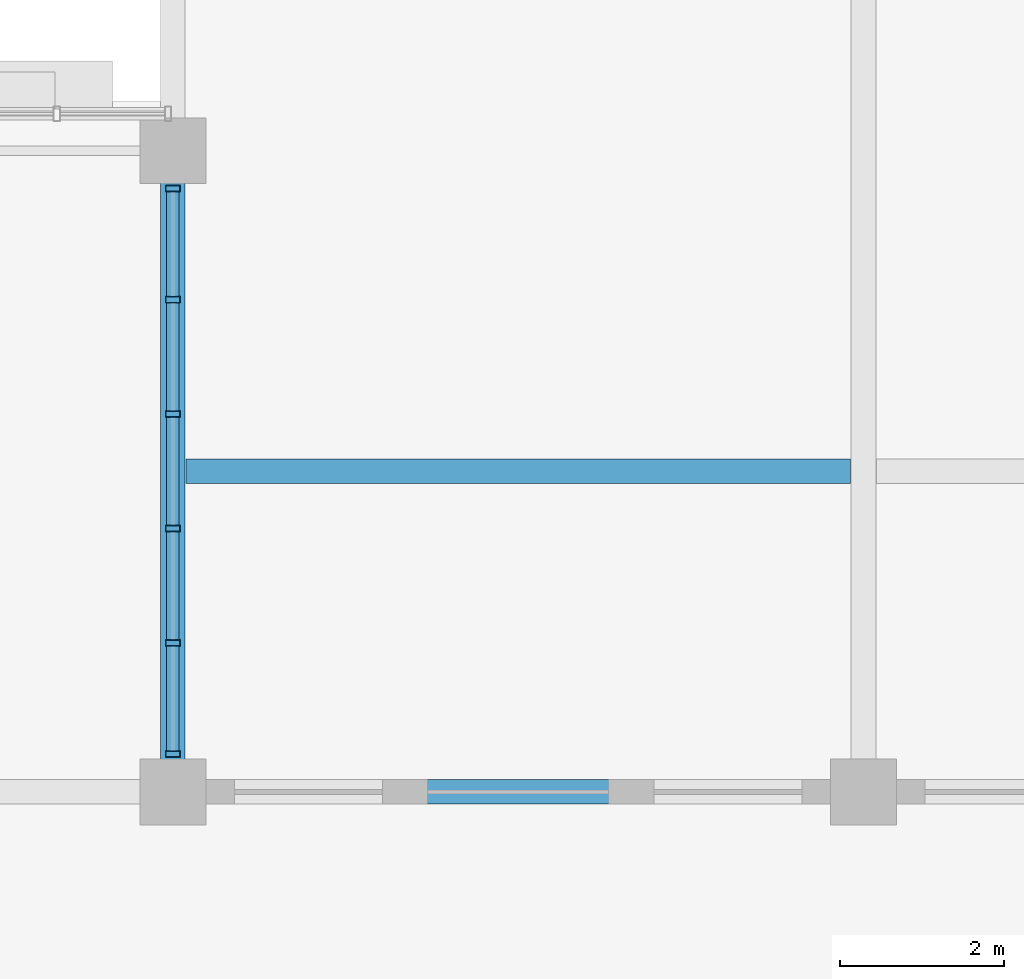
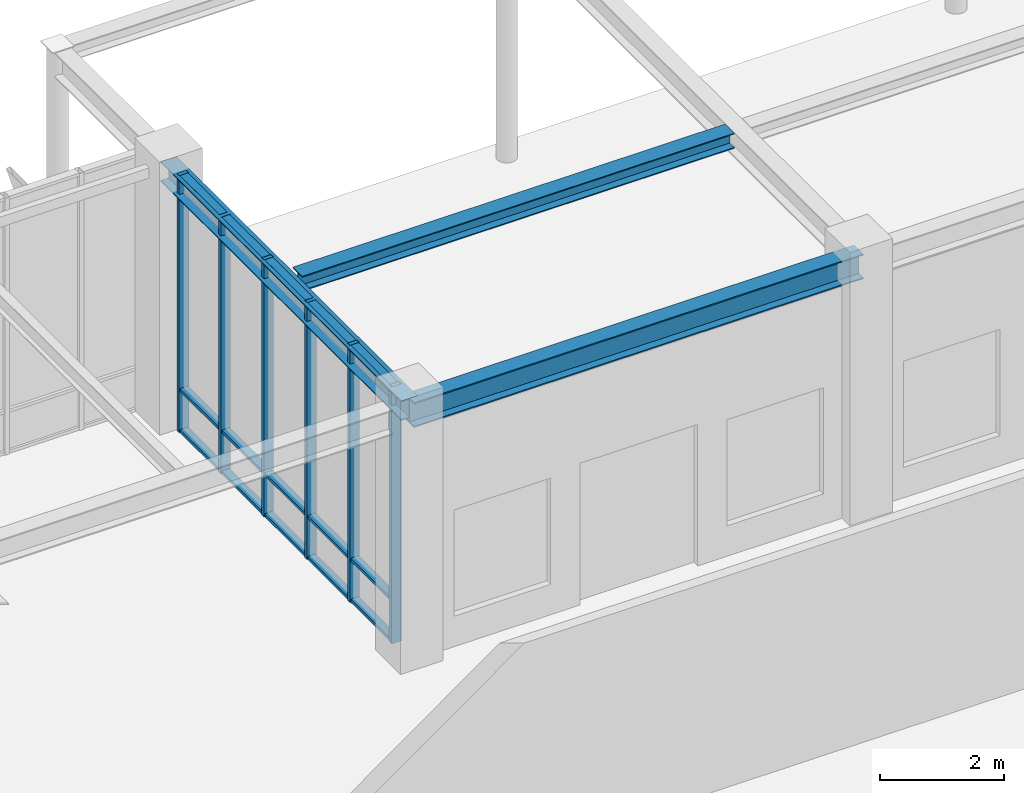
# One storey, part 43 of 122: 21 members, 3 beams, 1 element without a shape of its own.
"""IFC4 building model written with IfcOpenShell, lengths in metres."""

import ifcopenshell
import ifcopenshell.guid

model = None  # the IFC model being written
_history = None  # IfcOwnerHistory: only IFC2X3 demands one
_inside = {}  # id of a spatial element -> (the spatial element, [elements in it])
_under = {}  # id of a project, library or spatial element -> (it, [spatial elements below it])
_declared = {}  # id of a project -> (the project, [libraries it declares])
_typed = {}  # id of a type object -> (the type object, [elements of that type])
_made_of = {}  # id of a material, layer set ... -> (it, [elements and type objects made of it])


def new_model(schema):
    """Start an empty IFC model of exactly this schema.

    Asked for "IFC4X3", IfcOpenShell would pick the latest addendum, in which some entities
    have other attributes; the version numbers below select the first issue.
    IFC2X3 requires an IfcOwnerHistory on every rooted entity: one is made here for all.
    """
    global model, _history
    if schema == "IFC4X3":
        model = ifcopenshell.file(schema_version=(4, 3, 0, 0))
    else:
        model = ifcopenshell.file(schema=schema)
    _inside.clear()
    _under.clear()
    _declared.clear()
    _typed.clear()
    _made_of.clear()
    _history = None
    if model.schema == "IFC2X3":
        org = make("IfcOrganization", Name="unknown")
        user = make(
            "IfcPersonAndOrganization",
            ThePerson=make("IfcPerson", FamilyName="unknown"),
            TheOrganization=org,
        )
        app = make(
            "IfcApplication",
            ApplicationDeveloper=org,
            Version="unknown",
            ApplicationFullName="unknown",
            ApplicationIdentifier="unknown",
        )
        _history = make(
            "IfcOwnerHistory",
            OwningUser=user,
            OwningApplication=app,
            ChangeAction="ADDED",
            CreationDate=0,
        )
    return model


def make(cls, **values):
    """One entity of the class cls with the attributes given. An attribute that is None is left unset."""
    return model.create_entity(
        cls, **{name: value for name, value in values.items() if value is not None}
    )


def rooted(cls, **values):
    """An entity with a GlobalId (a new one), such as an element, a storey or a relation."""
    return make(cls, GlobalId=ifcopenshell.guid.new(), OwnerHistory=_history, **values)


def si_unit(unit_type, name, prefix=None):
    """IfcSIUnit, for example si_unit("LENGTHUNIT", "METRE", prefix="MILLI")."""
    return make("IfcSIUnit", UnitType=unit_type, Prefix=prefix, Name=name)


def assignment(units):
    """IfcUnitAssignment: the units of a project."""
    return None if units is None else make("IfcUnitAssignment", Units=units)


def point(xyz):
    """IfcCartesianPoint."""
    return None if xyz is None else make("IfcCartesianPoint", Coordinates=xyz)


def direction(xyz):
    """IfcDirection."""
    return None if xyz is None else make("IfcDirection", DirectionRatios=xyz)


def frame(location, z_axis=None, x_axis=None):
    """IfcAxis2Placement3D, a coordinate frame: its origin and axes. An axis left out is left unset."""
    return make(
        "IfcAxis2Placement3D",
        Location=point(location),
        Axis=direction(z_axis),
        RefDirection=direction(x_axis),
    )


def frame_2d(location, x_axis=None):
    """IfcAxis2Placement2D, a coordinate frame in the plane: its origin and x axis."""
    return make(
        "IfcAxis2Placement2D", Location=point(location), RefDirection=direction(x_axis)
    )


def origin():
    """The frame at (0, 0, 0) with its axes left unset."""
    return frame((0.0, 0.0, 0.0))


def origin_2d():
    """The frame at (0, 0) in the plane with its x axis left unset."""
    return frame_2d((0.0, 0.0))


def place(relative_to, where):
    """IfcLocalPlacement: puts the frame where relative to a parent placement (None: the world)."""
    return make(
        "IfcLocalPlacement", PlacementRelTo=relative_to, RelativePlacement=where
    )


def context(
    kind, dimensions, precision=None, world=None, true_north=None, identifier=None
):
    """IfcGeometricRepresentationContext, for example the 3D "Model" context."""
    return make(
        "IfcGeometricRepresentationContext",
        ContextIdentifier=identifier,
        ContextType=kind,
        CoordinateSpaceDimension=dimensions,
        Precision=precision,
        WorldCoordinateSystem=world,
        TrueNorth=true_north,
    )


def subcontext(parent, identifier, kind, view, scale=None):
    """IfcGeometricRepresentationSubContext, for example "Body" below "Model"."""
    return make(
        "IfcGeometricRepresentationSubContext",
        ContextIdentifier=identifier,
        ContextType=kind,
        ParentContext=parent,
        TargetScale=scale,
        TargetView=view,
    )


def project(units=None, contexts=None):
    """IfcProject with its units and contexts."""
    return rooted(
        "IfcProject",
        Name="project",
        RepresentationContexts=contexts,
        UnitsInContext=assignment(units),
    )


def spatial(cls, under=None, at=None, **own):
    """A site, building, storey or space (cls), placed at a placement, below another one or the project."""
    s = rooted(cls, ObjectPlacement=at, **own)
    if under is not None:
        _under.setdefault(under.id(), (under, []))[1].append(s)
    return s


def profile(cls, at=None, kind="AREA", **sizes):
    """A parametric profile (cls). Its sizes go by their IFC names, for example OverallWidth=200.0."""
    return make(cls, ProfileType=kind, Position=at, **sizes)


def hollow_rectangle(**sizes):
    """IfcRectangleHollowProfileDef."""
    return profile("IfcRectangleHollowProfileDef", **sizes)


def i_section(**sizes):
    """IfcIShapeProfileDef."""
    return profile("IfcIShapeProfileDef", **sizes)


def extrude(swept, where, along, depth):
    """IfcExtrudedAreaSolid: the profile swept, set in the frame where, extruded along a direction by depth."""
    return make(
        "IfcExtrudedAreaSolid",
        SweptArea=swept,
        Position=where,
        ExtrudedDirection=direction(along),
        Depth=depth,
    )


def shape(context_of_items, identifier, shape_type, items):
    """IfcShapeRepresentation: the items that make up one representation, for example the "Body"."""
    return make(
        "IfcShapeRepresentation",
        ContextOfItems=context_of_items,
        RepresentationIdentifier=identifier,
        RepresentationType=shape_type,
        Items=items,
    )


def material(Name=None, Category=None):
    """IfcMaterial."""
    return make("IfcMaterial", Name=Name, Category=Category)


def layer(
    of_material, thickness, ventilated=None, Name=None, Category=None, Priority=None
):
    """IfcMaterialLayer: one layer of a wall or slab, of a material (None: an air gap)."""
    return make(
        "IfcMaterialLayer",
        Material=of_material,
        LayerThickness=thickness,
        IsVentilated=ventilated,
        Name=Name,
        Category=Category,
        Priority=Priority,
    )


def layer_set(layers, Name=None):
    """IfcMaterialLayerSet."""
    return make("IfcMaterialLayerSet", MaterialLayers=layers, LayerSetName=Name)


def material_profile(
    of_material, cross_section, Name=None, Category=None, Priority=None
):
    """IfcMaterialProfile: a cross section and its material."""
    return make(
        "IfcMaterialProfile",
        Name=Name,
        Material=of_material,
        Profile=cross_section,
        Priority=Priority,
        Category=Category,
    )


def profile_set(profiles, Name=None, composite=None):
    """IfcMaterialProfileSet."""
    return make(
        "IfcMaterialProfileSet",
        Name=Name,
        MaterialProfiles=profiles,
        CompositeProfile=composite,
    )


def made_of(thing, what):
    """Note that an element or type object is made of a material, layer set ...; save() writes the relation."""
    if what is not None:
        _made_of.setdefault(what.id(), (what, []))[1].append(thing)
    return thing


def type_object(cls, material=None, **own):
    """A type object (cls), such as IfcWallType, which elements share."""
    return made_of(rooted(cls, **own), material)


def element(
    cls,
    number,
    at=None,
    inside=None,
    cuts=None,
    type_object=None,
    material=None,
    context=None,
    identifier="Body",
    shape_type=None,
    held_by="IfcProductDefinitionShape",
    body=None,
    shapes=None,
    **own,
):
    """One element of the class cls, such as IfcWall. Its Tag is "e" and its number.

    at: its placement. inside: the storey or other place that contains it. cuts: it is an
    opening in that element (IfcRelVoidsElement). A single representation is given by context,
    identifier, shape_type and body (its items); several are given by shapes. held_by: the class
    of the entity that holds the representations. save() writes the other relations.
    """
    e = rooted(cls, Tag="e%d" % number, ObjectPlacement=at, **own)
    if body is not None:
        shapes = [shape(context, identifier, shape_type, body)]
    if shapes is not None:
        e.Representation = make(held_by, Representations=shapes)
    if inside is not None:
        _inside.setdefault(inside.id(), (inside, []))[1].append(e)
    if cuts is not None:
        rooted(
            "IfcRelVoidsElement", RelatingBuildingElement=cuts, RelatedOpeningElement=e
        )
    if type_object is not None:
        _typed.setdefault(type_object.id(), (type_object, []))[1].append(e)
    return made_of(e, material)


def aggregate(whole, parts):
    """IfcRelAggregates: a whole, such as a stair, and the parts it consists of."""
    return rooted("IfcRelAggregates", RelatingObject=whole, RelatedObjects=parts)


def save(model, path):
    """Write the relations noted so far, then the file.

    IfcRelAggregates (storeys below a building ...), IfcRelContainedInSpatialStructure (elements
    in a storey), IfcRelDefinesByType, IfcRelAssociatesMaterial and IfcRelDeclares: one each for
    every whole, place, type object, material and project.
    """
    for whole, parts in _under.values():
        aggregate(whole, parts)
    for where, things in _inside.values():
        rooted(
            "IfcRelContainedInSpatialStructure",
            RelatedElements=things,
            RelatingStructure=where,
        )
    for kind, things in _typed.values():
        rooted("IfcRelDefinesByType", RelatedObjects=things, RelatingType=kind)
    for what, things in _made_of.values():
        rooted("IfcRelAssociatesMaterial", RelatedObjects=things, RelatingMaterial=what)
    for by, libraries in _declared.values():
        rooted("IfcRelDeclares", RelatingContext=by, RelatedDefinitions=libraries)
    model.write(path)


model = new_model("IFC4")

# Units and contexts
model_context = context("Model", 3, precision=1e-05, world=origin(), true_north=direction((0.0, 1.0)))
body_context = subcontext(model_context, "Body", "Model", "MODEL_VIEW")
ifc_project = project(units=[si_unit("LENGTHUNIT", "METRE"), si_unit("AREAUNIT", "SQUARE_METRE"), si_unit("VOLUMEUNIT", "CUBIC_METRE"), si_unit("PLANEANGLEUNIT", "RADIAN"), si_unit("MASSUNIT", "GRAM", prefix="KILO")], contexts=[model_context])

# Site, building, storey
site_placement = place(None, origin())
site = spatial("IfcSite", under=ifc_project, at=site_placement, CompositionType="ELEMENT")
building_placement = place(site_placement, origin())
building = spatial("IfcBuilding", under=site, at=building_placement, Name="Zayran Congress Hotel", CompositionType="ELEMENT")
storey_placement = place(building_placement, origin())
storey = spatial("IfcBuildingStorey", under=building, at=storey_placement, Name="L00", CompositionType="ELEMENT", Elevation=0.0)

# Beams
ifc_material_1 = material(Name="Steel S355", Category="steel")
ifc_material_profile_1 = material_profile(ifc_material_1, i_section(OverallWidth=0.300048828125, OverallDepth=0.489990234375, WebThickness=0.011962890625, FlangeThickness=0.02294921875, at=origin_2d()), Name="HEA 500")
ifc_profile_set_1 = profile_set([ifc_material_profile_1], Name="Steel S355")
beam_type_1 = type_object("IfcBeamType", Name="TP-BM-05", PredefinedType="BEAM", material=ifc_profile_set_1)
beam_1_placement = place(storey_placement, frame((33.60009765625, 109.60009765625, 4.8349609375), z_axis=(1.0, 0.0, 0.0), x_axis=(0.0, 1.0, 0.0)))
element("IfcBeam", 1, at=beam_1_placement, inside=storey, type_object=beam_type_1, Name="BM-V1-L00-0428", PredefinedType="BEAM", context=body_context, shape_type="SweptSolid", body=[
    extrude(i_section(OverallWidth=0.300048828125, OverallDepth=0.489990234375, WebThickness=0.011962890625, FlangeThickness=0.02294921875, at=origin_2d()), origin(), (0.0, 0.0, 1.0), 8.39990234375),
])
ifc_material_profile_2 = material_profile(ifc_material_1, i_section(OverallWidth=0.300048828125, OverallDepth=0.389892578125, WebThickness=0.010986328125, FlangeThickness=0.01904296875, at=origin_2d()), Name="HEA 400")
ifc_profile_set_2 = profile_set([ifc_material_profile_2], Name="Steel S355")
beam_type_2 = type_object("IfcBeamType", Name="TP-BM-06", PredefinedType="BEAM", material=ifc_profile_set_2)
beam_2_placement = place(storey_placement, frame((33.60009765625, 109.60009765625, 4.885009765625), z_axis=(0.0, 1.0, 0.0), x_axis=(-1.0, 0.0, 0.0)))
element("IfcBeam", 2, at=beam_2_placement, inside=storey, type_object=beam_type_2, Name="BM-V1-L00-0463", PredefinedType="BEAM", context=body_context, shape_type="SweptSolid", body=[
    extrude(i_section(OverallWidth=0.300048828125, OverallDepth=0.389892578125, WebThickness=0.010986328125, FlangeThickness=0.01904296875, at=origin_2d()), origin(), (0.0, 0.0, 1.0), 7.7998046875),
])
ifc_material_profile_3 = material_profile(ifc_material_1, i_section(OverallWidth=0.300048828125, OverallDepth=0.300048828125, WebThickness=0.010986328125, FlangeThickness=0.01904296875, at=origin_2d()), Name="HEB 300")
ifc_profile_set_3 = profile_set([ifc_material_profile_3], Name="Steel S355")
beam_type_3 = type_object("IfcBeamType", Name="TP-BM-11", PredefinedType="BEAM", material=ifc_profile_set_3)
beam_3_placement = place(storey_placement, frame((33.760009765625, 113.5, 5.010009765625), z_axis=(1.0, 0.0, 0.0), x_axis=(0.0, 1.0, 0.0)))
element("IfcBeam", 3, at=beam_3_placement, inside=storey, type_object=beam_type_3, Name="BM-NCAN-TIE-1", PredefinedType="BEAM", context=body_context, shape_type="SweptSolid", body=[
    extrude(i_section(OverallWidth=0.300048828125, OverallDepth=0.300048828125, WebThickness=0.010986328125, FlangeThickness=0.01904296875, at=origin_2d()), origin(), (0.0, 0.0, 1.0), 8.080078125),
])

# Curtain wall, members
ifc_material_2 = material(Name="Anodised aluminium and low-E insulated glass", Category="aluminium")
ifc_layer = layer(ifc_material_2, 0.179931640625)
ifc_layer_set = layer_set([ifc_layer], Name="Anodised aluminium and low-E insulated glass")
curtain_wall_type = type_object("IfcCurtainWallType", Name="CW-V1NW-L00-CW-24-6960-5080", PredefinedType="USERDEFINED", material=ifc_layer_set)
curtain_wall_placement = place(storey_placement, origin())
curtain_wall = element("IfcCurtainWall", 4, at=curtain_wall_placement, inside=storey, type_object=curtain_wall_type, Name="CW-V1NW-L00", ObjectType="CURTAIN WALL", PredefinedType="USERDEFINED")
ifc_material_3 = material(Name="Anodised aluminium framing", Category="aluminium")
ifc_material_profile_4 = material_profile(ifc_material_3, hollow_rectangle(XDim=0.080078125, YDim=0.179931640625, WallThickness=0.0048828125, at=origin_2d()), Name="RHS 180x80x5")
ifc_profile_set_4 = profile_set([ifc_material_profile_4], Name="Anodised aluminium framing")
member_type_1 = type_object("IfcMemberType", Name="TP-CWM-01", PredefinedType="MULLION", material=ifc_profile_set_4)
member_1_placement = place(storey_placement, frame((33.60009765625, 110.06005859375, 0.0), z_axis=(0.0, 0.0, 1.0), x_axis=(0.0, 1.0, 0.0)))
member_1 = element("IfcMember", 5, at=member_1_placement, type_object=member_type_1, Name="CW-V1NW-L00-M00", PredefinedType="MULLION", context=body_context, shape_type="SweptSolid", body=[
    extrude(hollow_rectangle(XDim=0.080078125, YDim=0.179931640625, WallThickness=0.0048828125, at=origin_2d()), origin(), (0.0, 0.0, 1.0), 5.080078125),
])
member_2_placement = place(storey_placement, frame((33.60009765625, 111.412109375, 0.0), z_axis=(0.0, 0.0, 1.0), x_axis=(0.0, 1.0, 0.0)))
member_2 = element("IfcMember", 6, at=member_2_placement, type_object=member_type_1, Name="CW-V1NW-L00-M01", PredefinedType="MULLION", context=body_context, shape_type="SweptSolid", body=[
    extrude(hollow_rectangle(XDim=0.080078125, YDim=0.179931640625, WallThickness=0.0048828125, at=origin_2d()), origin(), (0.0, 0.0, 1.0), 5.080078125),
])
member_3_placement = place(storey_placement, frame((33.60009765625, 112.803955078125, 0.0), z_axis=(0.0, 0.0, 1.0), x_axis=(0.0, 1.0, 0.0)))
member_3 = element("IfcMember", 7, at=member_3_placement, type_object=member_type_1, Name="CW-V1NW-L00-M02", PredefinedType="MULLION", context=body_context, shape_type="SweptSolid", body=[
    extrude(hollow_rectangle(XDim=0.080078125, YDim=0.179931640625, WallThickness=0.0048828125, at=origin_2d()), origin(), (0.0, 0.0, 1.0), 5.080078125),
])
member_4_placement = place(storey_placement, frame((33.60009765625, 114.196044921875, 0.0), z_axis=(0.0, 0.0, 1.0), x_axis=(0.0, 1.0, 0.0)))
member_4 = element("IfcMember", 8, at=member_4_placement, type_object=member_type_1, Name="CW-V1NW-L00-M03", PredefinedType="MULLION", context=body_context, shape_type="SweptSolid", body=[
    extrude(hollow_rectangle(XDim=0.080078125, YDim=0.179931640625, WallThickness=0.0048828125, at=origin_2d()), origin(), (0.0, 0.0, 1.0), 5.080078125),
])
member_5_placement = place(storey_placement, frame((33.60009765625, 115.587890625, 0.0), z_axis=(0.0, 0.0, 1.0), x_axis=(0.0, 1.0, 0.0)))
member_5 = element("IfcMember", 9, at=member_5_placement, type_object=member_type_1, Name="CW-V1NW-L00-M04", PredefinedType="MULLION", context=body_context, shape_type="SweptSolid", body=[
    extrude(hollow_rectangle(XDim=0.080078125, YDim=0.179931640625, WallThickness=0.0048828125, at=origin_2d()), origin(), (0.0, 0.0, 1.0), 5.080078125),
])
member_6_placement = place(storey_placement, frame((33.60009765625, 116.93994140625, 0.0), z_axis=(0.0, 0.0, 1.0), x_axis=(0.0, 1.0, 0.0)))
member_6 = element("IfcMember", 10, at=member_6_placement, type_object=member_type_1, Name="CW-V1NW-L00-M05", PredefinedType="MULLION", context=body_context, shape_type="SweptSolid", body=[
    extrude(hollow_rectangle(XDim=0.080078125, YDim=0.179931640625, WallThickness=0.0048828125, at=origin_2d()), origin(), (0.0, 0.0, 1.0), 5.080078125),
])
ifc_material_profile_5 = material_profile(ifc_material_3, hollow_rectangle(XDim=0.06005859375, YDim=0.14990234375, WallThickness=0.00390625, at=origin_2d()), Name="RHS 150x60x4")
ifc_profile_set_5 = profile_set([ifc_material_profile_5], Name="Anodised aluminium framing")
member_type_2 = type_object("IfcMemberType", Name="TP-CWT-01", PredefinedType="USERDEFINED", material=ifc_profile_set_5)
member_7_placement = place(storey_placement, frame((33.60009765625, 110.10009765625, 0.030029296875), z_axis=(0.0, 1.0, 0.0), x_axis=(0.0, 0.0, 1.0)))
member_7 = element("IfcMember", 11, at=member_7_placement, type_object=member_type_2, Name="CW-V1NW-L00-T00-0", ObjectType="TRANSOM", PredefinedType="USERDEFINED", context=body_context, shape_type="SweptSolid", body=[
    extrude(hollow_rectangle(XDim=0.06005859375, YDim=0.14990234375, WallThickness=0.00390625, at=origin_2d()), origin(), (0.0, 0.0, 1.0), 1.27197265625),
])
member_8_placement = place(storey_placement, frame((33.60009765625, 110.10009765625, 0.840087890625), z_axis=(0.0, 1.0, 0.0), x_axis=(0.0, 0.0, 1.0)))
member_8 = element("IfcMember", 12, at=member_8_placement, type_object=member_type_2, Name="CW-V1NW-L00-T00-1", ObjectType="TRANSOM", PredefinedType="USERDEFINED", context=body_context, shape_type="SweptSolid", body=[
    extrude(hollow_rectangle(XDim=0.06005859375, YDim=0.14990234375, WallThickness=0.00390625, at=origin_2d()), origin(), (0.0, 0.0, 1.0), 1.27197265625),
])
member_9_placement = place(storey_placement, frame((33.60009765625, 110.10009765625, 5.050048828125), z_axis=(0.0, 1.0, 0.0), x_axis=(0.0, 0.0, 1.0)))
member_9 = element("IfcMember", 13, at=member_9_placement, type_object=member_type_2, Name="CW-V1NW-L00-T00-2", ObjectType="TRANSOM", PredefinedType="USERDEFINED", context=body_context, shape_type="SweptSolid", body=[
    extrude(hollow_rectangle(XDim=0.06005859375, YDim=0.14990234375, WallThickness=0.00390625, at=origin_2d()), origin(), (0.0, 0.0, 1.0), 1.27197265625),
])
member_10_placement = place(storey_placement, frame((33.60009765625, 111.451904296875, 0.030029296875), z_axis=(0.0, 1.0, 0.0), x_axis=(0.0, 0.0, 1.0)))
member_10 = element("IfcMember", 14, at=member_10_placement, type_object=member_type_2, Name="CW-V1NW-L00-T01-0", ObjectType="TRANSOM", PredefinedType="USERDEFINED", context=body_context, shape_type="SweptSolid", body=[
    extrude(hollow_rectangle(XDim=0.06005859375, YDim=0.14990234375, WallThickness=0.00390625, at=origin_2d()), origin(), (0.0, 0.0, 1.0), 1.31201171875),
])
member_11_placement = place(storey_placement, frame((33.60009765625, 111.451904296875, 0.840087890625), z_axis=(0.0, 1.0, 0.0), x_axis=(0.0, 0.0, 1.0)))
member_11 = element("IfcMember", 15, at=member_11_placement, type_object=member_type_2, Name="CW-V1NW-L00-T01-1", ObjectType="TRANSOM", PredefinedType="USERDEFINED", context=body_context, shape_type="SweptSolid", body=[
    extrude(hollow_rectangle(XDim=0.06005859375, YDim=0.14990234375, WallThickness=0.00390625, at=origin_2d()), origin(), (0.0, 0.0, 1.0), 1.31201171875),
])
member_12_placement = place(storey_placement, frame((33.60009765625, 111.451904296875, 5.050048828125), z_axis=(0.0, 1.0, 0.0), x_axis=(0.0, 0.0, 1.0)))
member_12 = element("IfcMember", 16, at=member_12_placement, type_object=member_type_2, Name="CW-V1NW-L00-T01-2", ObjectType="TRANSOM", PredefinedType="USERDEFINED", context=body_context, shape_type="SweptSolid", body=[
    extrude(hollow_rectangle(XDim=0.06005859375, YDim=0.14990234375, WallThickness=0.00390625, at=origin_2d()), origin(), (0.0, 0.0, 1.0), 1.31201171875),
])
member_13_placement = place(storey_placement, frame((33.60009765625, 112.843994140625, 0.030029296875), z_axis=(0.0, 1.0, 0.0), x_axis=(0.0, 0.0, 1.0)))
member_13 = element("IfcMember", 17, at=member_13_placement, type_object=member_type_2, Name="CW-V1NW-L00-T02-0", ObjectType="TRANSOM", PredefinedType="USERDEFINED", context=body_context, shape_type="SweptSolid", body=[
    extrude(hollow_rectangle(XDim=0.06005859375, YDim=0.14990234375, WallThickness=0.00390625, at=origin_2d()), origin(), (0.0, 0.0, 1.0), 1.31201171875),
])
member_14_placement = place(storey_placement, frame((33.60009765625, 112.843994140625, 0.840087890625), z_axis=(0.0, 1.0, 0.0), x_axis=(0.0, 0.0, 1.0)))
member_14 = element("IfcMember", 18, at=member_14_placement, type_object=member_type_2, Name="CW-V1NW-L00-T02-1", ObjectType="TRANSOM", PredefinedType="USERDEFINED", context=body_context, shape_type="SweptSolid", body=[
    extrude(hollow_rectangle(XDim=0.06005859375, YDim=0.14990234375, WallThickness=0.00390625, at=origin_2d()), origin(), (0.0, 0.0, 1.0), 1.31201171875),
])
member_15_placement = place(storey_placement, frame((33.60009765625, 112.843994140625, 5.050048828125), z_axis=(0.0, 1.0, 0.0), x_axis=(0.0, 0.0, 1.0)))
member_15 = element("IfcMember", 19, at=member_15_placement, type_object=member_type_2, Name="CW-V1NW-L00-T02-2", ObjectType="TRANSOM", PredefinedType="USERDEFINED", context=body_context, shape_type="SweptSolid", body=[
    extrude(hollow_rectangle(XDim=0.06005859375, YDim=0.14990234375, WallThickness=0.00390625, at=origin_2d()), origin(), (0.0, 0.0, 1.0), 1.31201171875),
])
member_16_placement = place(storey_placement, frame((33.60009765625, 114.236083984375, 0.030029296875), z_axis=(0.0, 1.0, 0.0), x_axis=(0.0, 0.0, 1.0)))
member_16 = element("IfcMember", 20, at=member_16_placement, type_object=member_type_2, Name="CW-V1NW-L00-T03-0", ObjectType="TRANSOM", PredefinedType="USERDEFINED", context=body_context, shape_type="SweptSolid", body=[
    extrude(hollow_rectangle(XDim=0.06005859375, YDim=0.14990234375, WallThickness=0.00390625, at=origin_2d()), origin(), (0.0, 0.0, 1.0), 1.31201171875),
])
member_17_placement = place(storey_placement, frame((33.60009765625, 114.236083984375, 0.840087890625), z_axis=(0.0, 1.0, 0.0), x_axis=(0.0, 0.0, 1.0)))
member_17 = element("IfcMember", 21, at=member_17_placement, type_object=member_type_2, Name="CW-V1NW-L00-T03-1", ObjectType="TRANSOM", PredefinedType="USERDEFINED", context=body_context, shape_type="SweptSolid", body=[
    extrude(hollow_rectangle(XDim=0.06005859375, YDim=0.14990234375, WallThickness=0.00390625, at=origin_2d()), origin(), (0.0, 0.0, 1.0), 1.31201171875),
])
member_18_placement = place(storey_placement, frame((33.60009765625, 114.236083984375, 5.050048828125), z_axis=(0.0, 1.0, 0.0), x_axis=(0.0, 0.0, 1.0)))
member_18 = element("IfcMember", 22, at=member_18_placement, type_object=member_type_2, Name="CW-V1NW-L00-T03-2", ObjectType="TRANSOM", PredefinedType="USERDEFINED", context=body_context, shape_type="SweptSolid", body=[
    extrude(hollow_rectangle(XDim=0.06005859375, YDim=0.14990234375, WallThickness=0.00390625, at=origin_2d()), origin(), (0.0, 0.0, 1.0), 1.31201171875),
])
member_19_placement = place(storey_placement, frame((33.60009765625, 115.6279296875, 0.030029296875), z_axis=(0.0, 1.0, 0.0), x_axis=(0.0, 0.0, 1.0)))
member_19 = element("IfcMember", 23, at=member_19_placement, type_object=member_type_2, Name="CW-V1NW-L00-T04-0", ObjectType="TRANSOM", PredefinedType="USERDEFINED", context=body_context, shape_type="SweptSolid", body=[
    extrude(hollow_rectangle(XDim=0.06005859375, YDim=0.14990234375, WallThickness=0.00390625, at=origin_2d()), origin(), (0.0, 0.0, 1.0), 1.27197265625),
])
member_20_placement = place(storey_placement, frame((33.60009765625, 115.6279296875, 0.840087890625), z_axis=(0.0, 1.0, 0.0), x_axis=(0.0, 0.0, 1.0)))
member_20 = element("IfcMember", 24, at=member_20_placement, type_object=member_type_2, Name="CW-V1NW-L00-T04-1", ObjectType="TRANSOM", PredefinedType="USERDEFINED", context=body_context, shape_type="SweptSolid", body=[
    extrude(hollow_rectangle(XDim=0.06005859375, YDim=0.14990234375, WallThickness=0.00390625, at=origin_2d()), origin(), (0.0, 0.0, 1.0), 1.27197265625),
])
member_21_placement = place(storey_placement, frame((33.60009765625, 115.6279296875, 5.050048828125), z_axis=(0.0, 1.0, 0.0), x_axis=(0.0, 0.0, 1.0)))
member_21 = element("IfcMember", 25, at=member_21_placement, type_object=member_type_2, Name="CW-V1NW-L00-T04-2", ObjectType="TRANSOM", PredefinedType="USERDEFINED", context=body_context, shape_type="SweptSolid", body=[
    extrude(hollow_rectangle(XDim=0.06005859375, YDim=0.14990234375, WallThickness=0.00390625, at=origin_2d()), origin(), (0.0, 0.0, 1.0), 1.27197265625),
])
aggregate(curtain_wall, [member_1, member_2, member_3, member_4, member_5, member_6, member_7, member_8, member_9, member_10, member_11, member_12, member_13, member_14, member_15, member_16, member_17, member_18, member_19, member_20, member_21])

save(model, "model.ifc")
